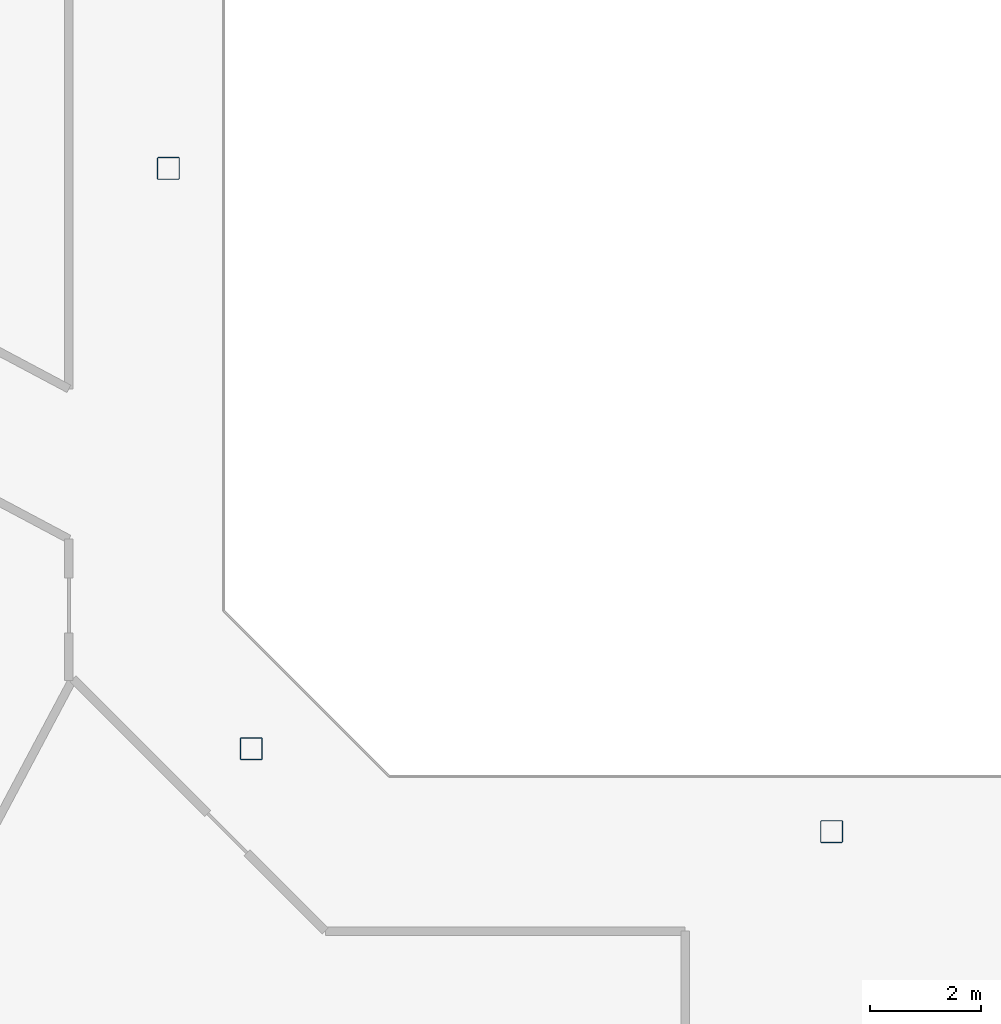
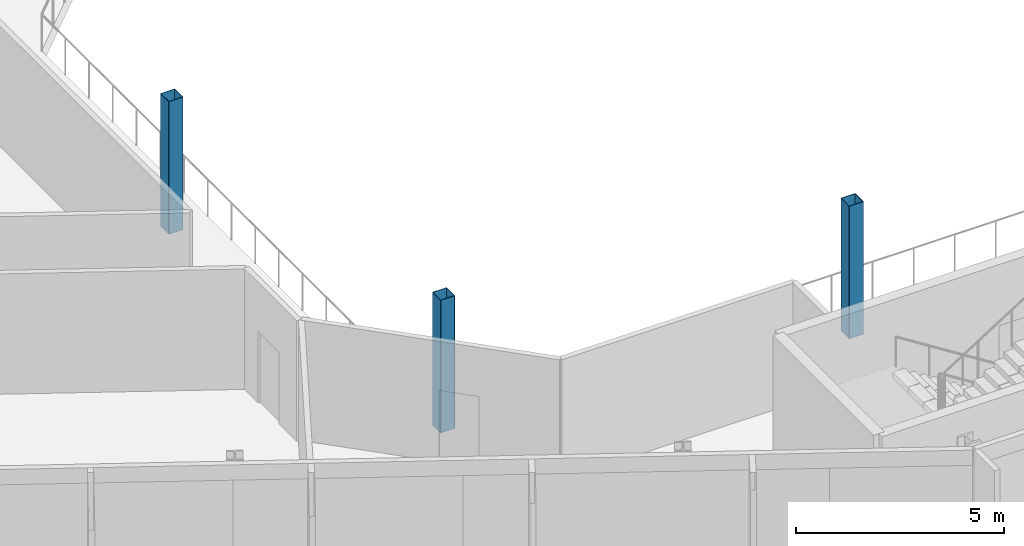
# One storey, part 2 of 31: 3 columns.
"""IFC4 building model written with IfcOpenShell, lengths in metres."""

import ifcopenshell
import ifcopenshell.guid

model = None  # the IFC model being written
_history = None  # IfcOwnerHistory: only IFC2X3 demands one
_inside = {}  # id of a spatial element -> (the spatial element, [elements in it])
_under = {}  # id of a project, library or spatial element -> (it, [spatial elements below it])
_declared = {}  # id of a project -> (the project, [libraries it declares])
_typed = {}  # id of a type object -> (the type object, [elements of that type])
_made_of = {}  # id of a material, layer set ... -> (it, [elements and type objects made of it])


def new_model(schema):
    """Start an empty IFC model of exactly this schema.

    Asked for "IFC4X3", IfcOpenShell would pick the latest addendum, in which some entities
    have other attributes; the version numbers below select the first issue.
    IFC2X3 requires an IfcOwnerHistory on every rooted entity: one is made here for all.
    """
    global model, _history
    if schema == "IFC4X3":
        model = ifcopenshell.file(schema_version=(4, 3, 0, 0))
    else:
        model = ifcopenshell.file(schema=schema)
    _inside.clear()
    _under.clear()
    _declared.clear()
    _typed.clear()
    _made_of.clear()
    _history = None
    if model.schema == "IFC2X3":
        org = make("IfcOrganization", Name="unknown")
        user = make(
            "IfcPersonAndOrganization",
            ThePerson=make("IfcPerson", FamilyName="unknown"),
            TheOrganization=org,
        )
        app = make(
            "IfcApplication",
            ApplicationDeveloper=org,
            Version="unknown",
            ApplicationFullName="unknown",
            ApplicationIdentifier="unknown",
        )
        _history = make(
            "IfcOwnerHistory",
            OwningUser=user,
            OwningApplication=app,
            ChangeAction="ADDED",
            CreationDate=0,
        )
    return model


def make(cls, **values):
    """One entity of the class cls with the attributes given. An attribute that is None is left unset."""
    return model.create_entity(
        cls, **{name: value for name, value in values.items() if value is not None}
    )


def rooted(cls, **values):
    """An entity with a GlobalId (a new one), such as an element, a storey or a relation."""
    return make(cls, GlobalId=ifcopenshell.guid.new(), OwnerHistory=_history, **values)


def si_unit(unit_type, name, prefix=None):
    """IfcSIUnit, for example si_unit("LENGTHUNIT", "METRE", prefix="MILLI")."""
    return make("IfcSIUnit", UnitType=unit_type, Prefix=prefix, Name=name)


def assignment(units):
    """IfcUnitAssignment: the units of a project."""
    return None if units is None else make("IfcUnitAssignment", Units=units)


def point(xyz):
    """IfcCartesianPoint."""
    return None if xyz is None else make("IfcCartesianPoint", Coordinates=xyz)


def direction(xyz):
    """IfcDirection."""
    return None if xyz is None else make("IfcDirection", DirectionRatios=xyz)


def frame(location, z_axis=None, x_axis=None):
    """IfcAxis2Placement3D, a coordinate frame: its origin and axes. An axis left out is left unset."""
    return make(
        "IfcAxis2Placement3D",
        Location=point(location),
        Axis=direction(z_axis),
        RefDirection=direction(x_axis),
    )


def frame_2d(location, x_axis=None):
    """IfcAxis2Placement2D, a coordinate frame in the plane: its origin and x axis."""
    return make(
        "IfcAxis2Placement2D", Location=point(location), RefDirection=direction(x_axis)
    )


def origin():
    """The frame at (0, 0, 0) with its axes left unset."""
    return frame((0.0, 0.0, 0.0))


def origin_2d():
    """The frame at (0, 0) in the plane with its x axis left unset."""
    return frame_2d((0.0, 0.0))


def place(relative_to, where):
    """IfcLocalPlacement: puts the frame where relative to a parent placement (None: the world)."""
    return make(
        "IfcLocalPlacement", PlacementRelTo=relative_to, RelativePlacement=where
    )


def context(
    kind, dimensions, precision=None, world=None, true_north=None, identifier=None
):
    """IfcGeometricRepresentationContext, for example the 3D "Model" context."""
    return make(
        "IfcGeometricRepresentationContext",
        ContextIdentifier=identifier,
        ContextType=kind,
        CoordinateSpaceDimension=dimensions,
        Precision=precision,
        WorldCoordinateSystem=world,
        TrueNorth=true_north,
    )


def subcontext(parent, identifier, kind, view, scale=None):
    """IfcGeometricRepresentationSubContext, for example "Body" below "Model"."""
    return make(
        "IfcGeometricRepresentationSubContext",
        ContextIdentifier=identifier,
        ContextType=kind,
        ParentContext=parent,
        TargetScale=scale,
        TargetView=view,
    )


def project(units=None, contexts=None):
    """IfcProject with its units and contexts."""
    return rooted(
        "IfcProject",
        Name="project",
        RepresentationContexts=contexts,
        UnitsInContext=assignment(units),
    )


def spatial(cls, under=None, at=None, **own):
    """A site, building, storey or space (cls), placed at a placement, below another one or the project."""
    s = rooted(cls, ObjectPlacement=at, **own)
    if under is not None:
        _under.setdefault(under.id(), (under, []))[1].append(s)
    return s


def profile(cls, at=None, kind="AREA", **sizes):
    """A parametric profile (cls). Its sizes go by their IFC names, for example OverallWidth=200.0."""
    return make(cls, ProfileType=kind, Position=at, **sizes)


def hollow_rectangle(**sizes):
    """IfcRectangleHollowProfileDef."""
    return profile("IfcRectangleHollowProfileDef", **sizes)


def extrude(swept, where, along, depth):
    """IfcExtrudedAreaSolid: the profile swept, set in the frame where, extruded along a direction by depth."""
    return make(
        "IfcExtrudedAreaSolid",
        SweptArea=swept,
        Position=where,
        ExtrudedDirection=direction(along),
        Depth=depth,
    )


def shape(context_of_items, identifier, shape_type, items):
    """IfcShapeRepresentation: the items that make up one representation, for example the "Body"."""
    return make(
        "IfcShapeRepresentation",
        ContextOfItems=context_of_items,
        RepresentationIdentifier=identifier,
        RepresentationType=shape_type,
        Items=items,
    )


def material(Name=None, Category=None):
    """IfcMaterial."""
    return make("IfcMaterial", Name=Name, Category=Category)


def material_profile(
    of_material, cross_section, Name=None, Category=None, Priority=None
):
    """IfcMaterialProfile: a cross section and its material."""
    return make(
        "IfcMaterialProfile",
        Name=Name,
        Material=of_material,
        Profile=cross_section,
        Priority=Priority,
        Category=Category,
    )


def profile_set(profiles, Name=None, composite=None):
    """IfcMaterialProfileSet."""
    return make(
        "IfcMaterialProfileSet",
        Name=Name,
        MaterialProfiles=profiles,
        CompositeProfile=composite,
    )


def made_of(thing, what):
    """Note that an element or type object is made of a material, layer set ...; save() writes the relation."""
    if what is not None:
        _made_of.setdefault(what.id(), (what, []))[1].append(thing)
    return thing


def type_object(cls, material=None, **own):
    """A type object (cls), such as IfcWallType, which elements share."""
    return made_of(rooted(cls, **own), material)


def element(
    cls,
    number,
    at=None,
    inside=None,
    cuts=None,
    type_object=None,
    material=None,
    context=None,
    identifier="Body",
    shape_type=None,
    held_by="IfcProductDefinitionShape",
    body=None,
    shapes=None,
    **own,
):
    """One element of the class cls, such as IfcWall. Its Tag is "e" and its number.

    at: its placement. inside: the storey or other place that contains it. cuts: it is an
    opening in that element (IfcRelVoidsElement). A single representation is given by context,
    identifier, shape_type and body (its items); several are given by shapes. held_by: the class
    of the entity that holds the representations. save() writes the other relations.
    """
    e = rooted(cls, Tag="e%d" % number, ObjectPlacement=at, **own)
    if body is not None:
        shapes = [shape(context, identifier, shape_type, body)]
    if shapes is not None:
        e.Representation = make(held_by, Representations=shapes)
    if inside is not None:
        _inside.setdefault(inside.id(), (inside, []))[1].append(e)
    if cuts is not None:
        rooted(
            "IfcRelVoidsElement", RelatingBuildingElement=cuts, RelatedOpeningElement=e
        )
    if type_object is not None:
        _typed.setdefault(type_object.id(), (type_object, []))[1].append(e)
    return made_of(e, material)


def aggregate(whole, parts):
    """IfcRelAggregates: a whole, such as a stair, and the parts it consists of."""
    return rooted("IfcRelAggregates", RelatingObject=whole, RelatedObjects=parts)


def save(model, path):
    """Write the relations noted so far, then the file.

    IfcRelAggregates (storeys below a building ...), IfcRelContainedInSpatialStructure (elements
    in a storey), IfcRelDefinesByType, IfcRelAssociatesMaterial and IfcRelDeclares: one each for
    every whole, place, type object, material and project.
    """
    for whole, parts in _under.values():
        aggregate(whole, parts)
    for where, things in _inside.values():
        rooted(
            "IfcRelContainedInSpatialStructure",
            RelatedElements=things,
            RelatingStructure=where,
        )
    for kind, things in _typed.values():
        rooted("IfcRelDefinesByType", RelatedObjects=things, RelatingType=kind)
    for what, things in _made_of.values():
        rooted("IfcRelAssociatesMaterial", RelatedObjects=things, RelatingMaterial=what)
    for by, libraries in _declared.values():
        rooted("IfcRelDeclares", RelatingContext=by, RelatedDefinitions=libraries)
    model.write(path)


model = new_model("IFC4")

# Units and contexts
model_context = context("Model", 3, precision=1e-05, world=origin(), true_north=direction((0.0, 1.0)))
body_context = subcontext(model_context, "Body", "Model", "MODEL_VIEW")
ifc_project = project(units=[si_unit("LENGTHUNIT", "METRE"), si_unit("AREAUNIT", "SQUARE_METRE"), si_unit("VOLUMEUNIT", "CUBIC_METRE"), si_unit("PLANEANGLEUNIT", "RADIAN"), si_unit("MASSUNIT", "GRAM", prefix="KILO")], contexts=[model_context])

# Site, building, storey
site_placement = place(None, origin())
site = spatial("IfcSite", under=ifc_project, at=site_placement, CompositionType="ELEMENT")
building_placement = place(site_placement, origin())
building = spatial("IfcBuilding", under=site, at=building_placement, Name="Cormorant Relay Tower", CompositionType="ELEMENT")
storey_placement = place(building_placement, frame((0.0, 0.0, 189.60009765625)))
storey = spatial("IfcBuildingStorey", under=building, at=storey_placement, Name="L40", CompositionType="ELEMENT", Elevation=189.60009765625)

# Columns
ifc_material = material(Name="Steel ASTM A500 Grade C (Fy 345 MPa)", Category="steel")
ifc_material_profile = material_profile(ifc_material, hollow_rectangle(XDim=0.406494140625, YDim=0.406494140625, WallThickness=0.0146484375, InnerFilletRadius=0.00732421875, OuterFilletRadius=0.022216796875, at=origin_2d()), Name="HSS406x406x15")
ifc_profile_set = profile_set([ifc_material_profile], Name="Steel ASTM A500 Grade C (Fy 345 MPa)")
column_type = type_object("IfcColumnType", Name="Column HSS406x406x15", PredefinedType="COLUMN", material=ifc_profile_set)
for number, where, z_axis, x_axis, name in (
    (1, (0.0, -12.0, 0.0), (0.0, 0.0, 1.0), (1.0, 0.0, 0.0), "Column L40-007"),
    (2, (-10.5, -10.5, 0.0), (0.0, 0.0, 1.0), (1.0, 0.0, 0.0), "Column L40-009"),
    (3, (-12.0, 0.0, 0.0), (0.0, 0.0, 1.0), (1.0, 0.0, 0.0), "Column L40-015"),
):
    element("IfcColumn", number, at=place(storey_placement, frame(where, z_axis=z_axis, x_axis=x_axis)), inside=storey, type_object=column_type, Name=name, PredefinedType="COLUMN", context=body_context, shape_type="SweptSolid", body=[
        extrude(hollow_rectangle(XDim=0.406494140625, YDim=0.406494140625, WallThickness=0.0146484375, InnerFilletRadius=0.00732421875, OuterFilletRadius=0.022216796875, at=origin_2d()), origin(), (0.0, 0.0, 1.0), 3.89990234375),
    ])

save(model, "model.ifc")
